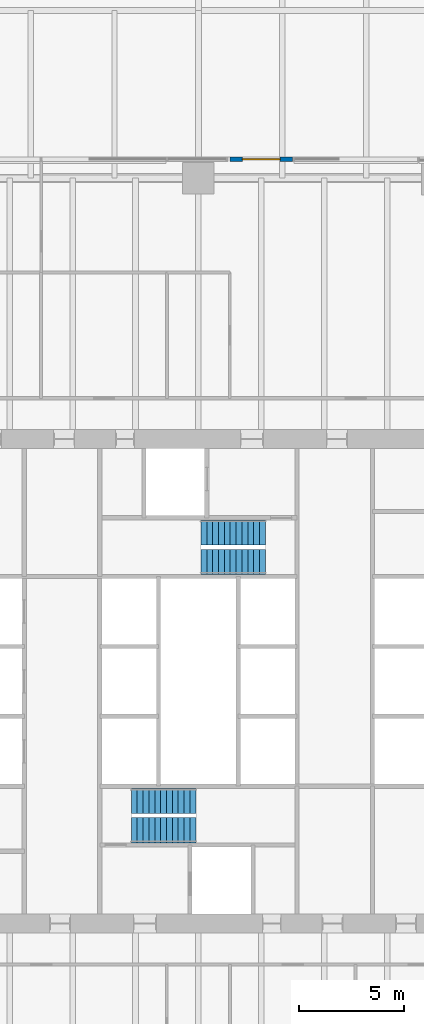
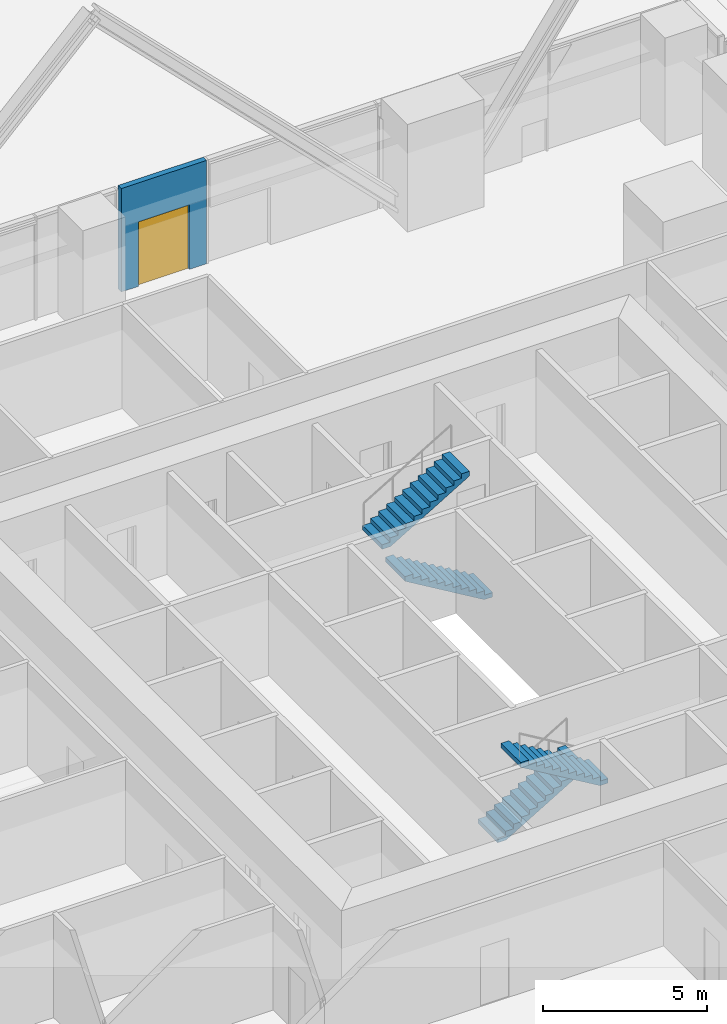
# One storey, part 18 of 21: 4 stair flights, 1 door, 1 wall, 1 opening, 2 elements without a shape of their own.
"""IFC4 building model written with IfcOpenShell, lengths in metres."""

from ifc_helpers import new_model, si_unit, direction, frame, frame_2d, origin, place, context, subcontext, project, spatial, polyline, rectangle, outline, extrude, material, layer, layer_set, type_object, element, fill, aggregate, save


model = new_model("IFC4")

# Units and contexts
model_context = context("Model", 3, precision=1e-05, world=origin(), true_north=direction((0.0, 1.0)))
body_context = subcontext(model_context, "Body", "Model", "MODEL_VIEW")
ifc_project = project(units=[si_unit("LENGTHUNIT", "METRE"), si_unit("AREAUNIT", "SQUARE_METRE"), si_unit("VOLUMEUNIT", "CUBIC_METRE"), si_unit("PLANEANGLEUNIT", "RADIAN"), si_unit("MASSUNIT", "GRAM", prefix="KILO")], contexts=[model_context])

# Site, building, storey
site_placement = place(None, origin())
site = spatial("IfcSite", under=ifc_project, at=site_placement, CompositionType="ELEMENT")
building_placement = place(site_placement, origin())
building = spatial("IfcBuilding", under=site, at=building_placement, Name="Fenwick Lantern Interchange", CompositionType="ELEMENT")
storey_placement = place(building_placement, frame((0.0, 0.0, 31.0)))
storey = spatial("IfcBuildingStorey", under=building, at=storey_placement, Name="L06", CompositionType="ELEMENT", Elevation=31.0)

# Wall, opening, door
ifc_material_1 = material(Name="Aluminium framed glazed screen", Category="aluminium")
ifc_layer = layer(ifc_material_1, 0.199951171875)
ifc_layer_set = layer_set([ifc_layer], Name="TERRACE DOOR SCREEN 200")
wall_type = type_object("IfcWallType", Name="TERRACE DOOR SCREEN 200", PredefinedType="SOLIDWALL", material=ifc_layer_set)
wall_placement = place(storey_placement, frame((29.5, 49.89990234375, 0.0), z_axis=(0.0, 0.0, 1.0), x_axis=(-1.0, 0.0, 0.0)))
wall = element("IfcWall", 1, at=wall_placement, inside=storey, type_object=wall_type, Name="L06/CW/09W", PredefinedType="SOLIDWALL", context=body_context, shape_type="SweptSolid", body=[
    extrude(rectangle(XDim=3.0, YDim=0.199951171875, at=frame_2d((1.5, 0.0))), origin(), (0.0, 0.0, 1.0), 3.85009765625),
])
opening_placement = place(wall_placement, frame((0.60009765625, 0.0, 0.0)))
opening = element("IfcOpeningElement", 2, at=opening_placement, cuts=wall, Name="Opening L06-D003", PredefinedType="OPENING", context=body_context, shape_type="SweptSolid", body=[
    extrude(rectangle(XDim=1.800048828125, YDim=2.39990234375, at=frame_2d((0.89990234375, 1.199951171875))), frame((0.0, 0.10986328125, 0.0), z_axis=(0.0, -1.0, 0.0), x_axis=(1.0, 0.0, 0.0)), (0.0, 0.0, 1.0), 0.219970703125),
])
ifc_material_2 = material(Name="Aluminium glazed door", Category="aluminium")
door_type = type_object("IfcDoorType", Name="TERRACE DOOR PAIR 1800 X 2400", OperationType="DOUBLE_DOOR_SINGLE_SWING", PredefinedType="DOOR", material=ifc_material_2)
door_placement = place(opening_placement, origin())
door = element("IfcDoor", 3, at=door_placement, inside=storey, type_object=door_type, Name="Terrace door pair", OperationType="DOUBLE_DOOR_SINGLE_SWING", OverallHeight=2.39990234375, OverallWidth=1.800048828125, PredefinedType="DOOR", context=body_context, shape_type="SweptSolid", body=[
    extrude(rectangle(XDim=1.800048828125, YDim=2.39990234375, at=frame_2d((0.89990234375, 1.199951171875))), frame((0.0, 0.02490234375, 0.0), z_axis=(0.0, -1.0, 0.0), x_axis=(1.0, 0.0, 0.0)), (0.0, 0.0, 1.0), 0.050048828125),
])
fill(opening, door)

# Stair, stair flights
ifc_material_3 = material(Name="Precast concrete f'c 35 MPa", Category="concrete")
stair_type = type_object("IfcStairType", Name="EXIT STAIR 1200", PredefinedType="HALF_TURN_STAIR", material=ifc_material_3)
stair_1_placement = place(storey_placement, origin())
stair_1 = element("IfcStair", 4, at=stair_1_placement, inside=storey, type_object=stair_type, Name="Exit stair ST1", PredefinedType="HALF_TURN_STAIR")
stair_flight_type = type_object("IfcStairFlightType", Name="STAIR FLIGHT 1200", PredefinedType="STRAIGHT", material=ifc_material_3)
stair_flight_1_placement = place(storey_placement, frame((21.800048828125, 19.300048828125, 0.0), z_axis=(0.0, 0.0, 1.0), x_axis=(1.0, 0.0, 0.0)))
stair_flight_1 = element("IfcStairFlight", 5, at=stair_flight_1_placement, type_object=stair_flight_type, Name="ST1 flight 1", NumberOfRisers=12, NumberOfTreads=11, PredefinedType="STRAIGHT", RiserHeight=0.166666667, TreadLength=0.28, context=body_context, shape_type="SweptSolid", body=[
    extrude(outline(polyline([(0.0, 0.0), (0.0, 0.166748046875), (0.280029296875, 0.166748046875), (0.280029296875, 0.333251953125), (0.56005859375, 0.333251953125), (0.56005859375, 0.5), (0.840087890625, 0.5), (0.840087890625, 0.666748046875), (1.1201171875, 0.666748046875), (1.1201171875, 0.833251953125), (1.39990234375, 0.833251953125), (1.39990234375, 1.0), (1.679931640625, 1.0), (1.679931640625, 1.166748046875), (1.9599609375, 1.166748046875), (1.9599609375, 1.333251953125), (2.239990234375, 1.333251953125), (2.239990234375, 1.5), (2.52001953125, 1.5), (2.52001953125, 1.666748046875), (2.800048828125, 1.666748046875), (2.800048828125, 1.833251953125), (3.080078125, 1.833251953125), (3.080078125, 2.0), (3.080078125, 1.658935546875), (0.29296875, 0.0), (0.0, 0.0)])), frame((0.0, 0.60009765625, 0.0), z_axis=(0.0, -1.0, 0.0), x_axis=(1.0, 0.0, 0.0)), (0.0, 0.0, 1.0), 1.199951171875),
])
stair_flight_2_placement = place(storey_placement, frame((24.8798828125, 17.89990234375, 2.0), z_axis=(0.0, 0.0, 1.0), x_axis=(-1.0, 0.0, 0.0)))
stair_flight_2 = element("IfcStairFlight", 6, at=stair_flight_2_placement, type_object=stair_flight_type, Name="ST1 flight 2", NumberOfRisers=12, NumberOfTreads=11, PredefinedType="STRAIGHT", RiserHeight=0.166666667, TreadLength=0.28, context=body_context, shape_type="SweptSolid", body=[
    extrude(outline(polyline([(0.0, 0.0), (0.0, 0.166748046875), (0.280029296875, 0.166748046875), (0.280029296875, 0.333251953125), (0.56005859375, 0.333251953125), (0.56005859375, 0.5), (0.840087890625, 0.5), (0.840087890625, 0.666748046875), (1.1201171875, 0.666748046875), (1.1201171875, 0.833251953125), (1.39990234375, 0.833251953125), (1.39990234375, 1.0), (1.679931640625, 1.0), (1.679931640625, 1.166748046875), (1.9599609375, 1.166748046875), (1.9599609375, 1.333251953125), (2.239990234375, 1.333251953125), (2.239990234375, 1.5), (2.52001953125, 1.5), (2.52001953125, 1.666748046875), (2.800048828125, 1.666748046875), (2.800048828125, 1.833251953125), (3.080078125, 1.833251953125), (3.080078125, 2.0), (3.080078125, 1.658935546875), (0.29296875, 0.0), (0.0, 0.0)])), frame((0.0, 0.60009765625, 0.0), z_axis=(0.0, -1.0, 0.0), x_axis=(1.0, 0.0, 0.0)), (0.0, 0.0, 1.0), 1.199951171875),
])
aggregate(stair_1, [stair_flight_1, stair_flight_2])

stair_2_placement = place(storey_placement, origin())
stair_2 = element("IfcStair", 7, at=stair_2_placement, inside=storey, type_object=stair_type, Name="Exit stair ST2", PredefinedType="HALF_TURN_STAIR")
stair_flight_3_placement = place(storey_placement, frame((28.199951171875, 30.699951171875, 0.0), z_axis=(0.0, 0.0, 1.0), x_axis=(-1.0, 0.0, 0.0)))
stair_flight_3 = element("IfcStairFlight", 8, at=stair_flight_3_placement, type_object=stair_flight_type, Name="ST2 flight 1", NumberOfRisers=12, NumberOfTreads=11, PredefinedType="STRAIGHT", RiserHeight=0.166666667, TreadLength=0.28, context=body_context, shape_type="SweptSolid", body=[
    extrude(outline(polyline([(0.0, 0.0), (0.0, 0.166748046875), (0.280029296875, 0.166748046875), (0.280029296875, 0.333251953125), (0.56005859375, 0.333251953125), (0.56005859375, 0.5), (0.840087890625, 0.5), (0.840087890625, 0.666748046875), (1.1201171875, 0.666748046875), (1.1201171875, 0.833251953125), (1.39990234375, 0.833251953125), (1.39990234375, 1.0), (1.679931640625, 1.0), (1.679931640625, 1.166748046875), (1.9599609375, 1.166748046875), (1.9599609375, 1.333251953125), (2.239990234375, 1.333251953125), (2.239990234375, 1.5), (2.52001953125, 1.5), (2.52001953125, 1.666748046875), (2.800048828125, 1.666748046875), (2.800048828125, 1.833251953125), (3.080078125, 1.833251953125), (3.080078125, 2.0), (3.080078125, 1.658935546875), (0.29296875, 0.0), (0.0, 0.0)])), frame((0.0, 0.60009765625, 0.0), z_axis=(0.0, -1.0, 0.0), x_axis=(1.0, 0.0, 0.0)), (0.0, 0.0, 1.0), 1.199951171875),
])
stair_flight_4_placement = place(storey_placement, frame((25.1201171875, 32.10009765625, 2.0), z_axis=(0.0, 0.0, 1.0), x_axis=(1.0, 0.0, 0.0)))
stair_flight_4 = element("IfcStairFlight", 9, at=stair_flight_4_placement, type_object=stair_flight_type, Name="ST2 flight 2", NumberOfRisers=12, NumberOfTreads=11, PredefinedType="STRAIGHT", RiserHeight=0.166666667, TreadLength=0.28, context=body_context, shape_type="SweptSolid", body=[
    extrude(outline(polyline([(0.0, 0.0), (0.0, 0.166748046875), (0.280029296875, 0.166748046875), (0.280029296875, 0.333251953125), (0.56005859375, 0.333251953125), (0.56005859375, 0.5), (0.840087890625, 0.5), (0.840087890625, 0.666748046875), (1.1201171875, 0.666748046875), (1.1201171875, 0.833251953125), (1.39990234375, 0.833251953125), (1.39990234375, 1.0), (1.679931640625, 1.0), (1.679931640625, 1.166748046875), (1.9599609375, 1.166748046875), (1.9599609375, 1.333251953125), (2.239990234375, 1.333251953125), (2.239990234375, 1.5), (2.52001953125, 1.5), (2.52001953125, 1.666748046875), (2.800048828125, 1.666748046875), (2.800048828125, 1.833251953125), (3.080078125, 1.833251953125), (3.080078125, 2.0), (3.080078125, 1.658935546875), (0.29296875, 0.0), (0.0, 0.0)])), frame((0.0, 0.60009765625, 0.0), z_axis=(0.0, -1.0, 0.0), x_axis=(1.0, 0.0, 0.0)), (0.0, 0.0, 1.0), 1.199951171875),
])
aggregate(stair_2, [stair_flight_3, stair_flight_4])

save(model, "model.ifc")
